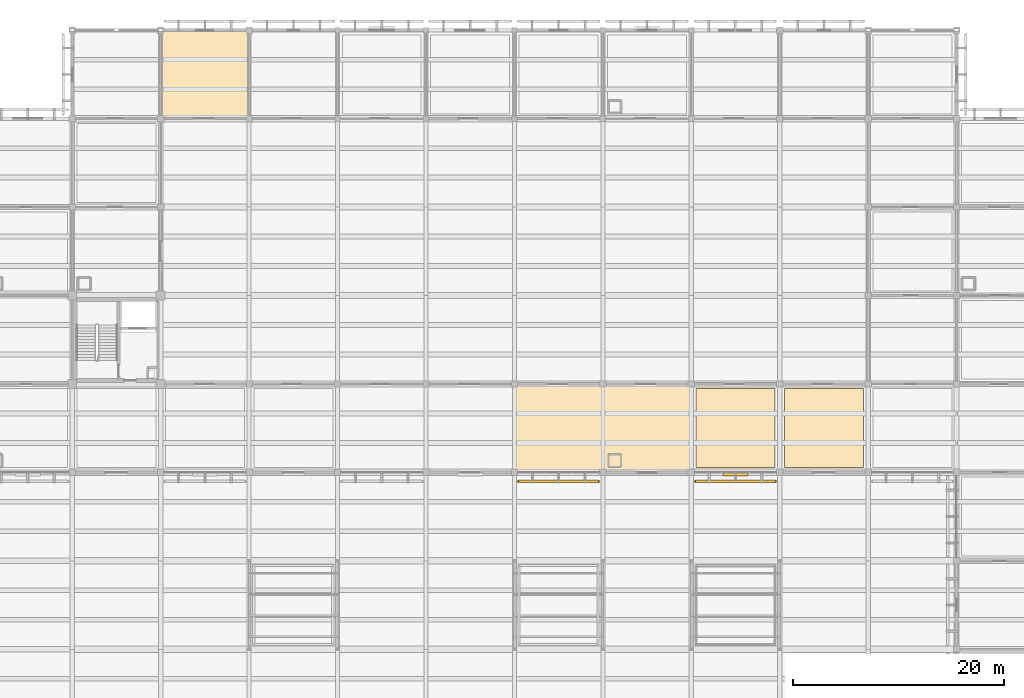
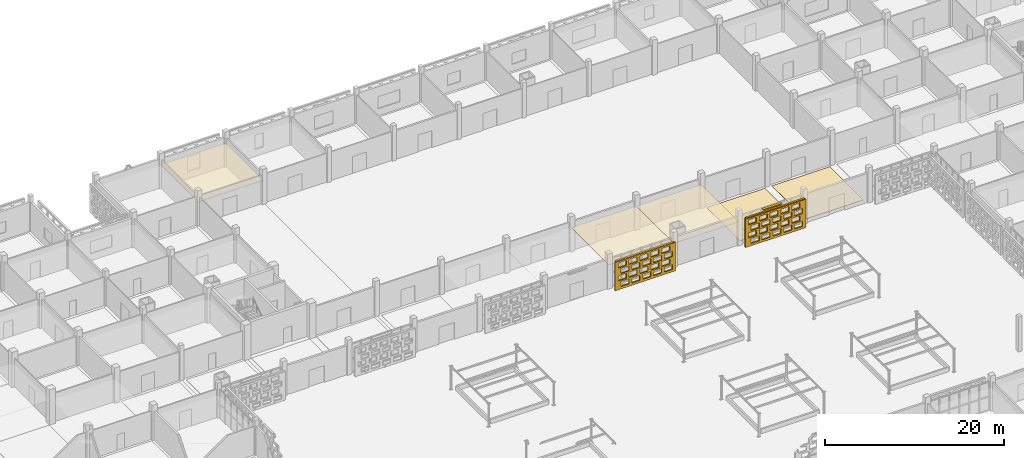
# One storey, part 105 of 129: 7 coverings, 3 shading devices, 40 openings.
"""IFC4 building model written with IfcOpenShell, lengths in metres."""

from ifc_helpers import new_model, si_unit, direction, frame, frame_2d, origin, origin_2d, place, context, subcontext, project, spatial, rectangle, extrude, material, layer, layer_set, type_object, element, save


model = new_model("IFC4")

# Units and contexts
model_context = context("Model", 3, precision=1e-05, world=origin(), true_north=direction((0.0, 1.0)))
body_context = subcontext(model_context, "Body", "Model", "MODEL_VIEW")
ifc_project = project(units=[si_unit("LENGTHUNIT", "METRE"), si_unit("AREAUNIT", "SQUARE_METRE"), si_unit("VOLUMEUNIT", "CUBIC_METRE"), si_unit("PLANEANGLEUNIT", "RADIAN"), si_unit("MASSUNIT", "GRAM", prefix="KILO")], contexts=[model_context])

# Site, building, storey
site_placement = place(None, origin())
site = spatial("IfcSite", under=ifc_project, at=site_placement, CompositionType="ELEMENT")
building_placement = place(site_placement, origin())
building = spatial("IfcBuilding", under=site, at=building_placement, Name="Varnapada Polytechnic", CompositionType="ELEMENT")
storey_placement = place(building_placement, origin())
storey = spatial("IfcBuildingStorey", under=building, at=storey_placement, Name="L00", CompositionType="ELEMENT", Elevation=0.0)

# Coverings
ifc_material_1 = material(Name="End-Grain Timber Studio Block Flooring", Category="wood")
ifc_layer_1 = layer(ifc_material_1, 0.054931640625)
ifc_layer_set_1 = layer_set([ifc_layer_1], Name="End-Grain Timber Studio Block Flooring")
covering_type_1 = type_object("IfcCoveringType", Name="Floor Finish FLR-04", PredefinedType="FLOORING", material=ifc_layer_set_1)
covering_1_placement = place(storey_placement, frame((121.800048828125, 88.199951171875, 0.0), z_axis=(0.0, 0.0, 1.0), x_axis=(1.0, 0.0, 0.0)))
element("IfcCovering", 1, at=covering_1_placement, inside=storey, type_object=covering_type_1, Name="L00 floor finish panel (15,11)", PredefinedType="FLOORING", context=body_context, shape_type="SweptSolid", body=[
    extrude(rectangle(XDim=7.5, YDim=7.5, at=origin_2d()), origin(), (0.0, 0.0, 1.0), 0.054931640625),
])
ifc_material_2 = material(Name="Acoustic Rubber Seminar Flooring")
ifc_layer_2 = layer(ifc_material_2, 0.0400390625)
ifc_layer_set_2 = layer_set([ifc_layer_2], Name="Acoustic Rubber Seminar Flooring")
covering_type_2 = type_object("IfcCoveringType", Name="Floor Finish FLR-06", PredefinedType="FLOORING", material=ifc_layer_set_2)
covering_2_placement = place(storey_placement, frame((113.39990234375, 88.199951171875, 0.0), z_axis=(0.0, 0.0, 1.0), x_axis=(1.0, 0.0, 0.0)))
element("IfcCovering", 2, at=covering_2_placement, inside=storey, type_object=covering_type_2, Name="L00 floor finish panel (14,11)", PredefinedType="FLOORING", context=body_context, shape_type="SweptSolid", body=[
    extrude(rectangle(XDim=7.5, YDim=7.5, at=origin_2d()), origin(), (0.0, 0.0, 1.0), 0.0400390625),
])

# Shading device
ifc_material_3 = material(Name="Anodised aluminium", Category="aluminium")
ifc_layer_3 = layer(ifc_material_3, 0.35009765625)
ifc_layer_set_3 = layer_set([ifc_layer_3], Name="Anodised aluminium")
shading_device_type_1 = type_object("IfcShadingDeviceType", Name="Solar Louvre LVR-01", PredefinedType="JALOUSIE", material=ifc_layer_set_3)
shading_device_placement = place(storey_placement, frame((113.39990234375, 83.820068359375, 3.760009765625), z_axis=(0.0, 0.0, 1.0), x_axis=(-1.0, 0.0, 0.0)))
element("IfcShadingDevice", 3, at=shading_device_placement, inside=storey, type_object=shading_device_type_1, Name="L00 aluminium sun louvre 70", PredefinedType="JALOUSIE", context=body_context, shape_type="SweptSolid", body=[
    extrude(rectangle(XDim=2.39990234375, YDim=0.340087890625, at=origin_2d()), origin(), (0.0, 0.0, 1.0), 0.1201171875),
])

# Coverings
ifc_material_4 = material(Name="Mineral Fibre Acoustic Ceiling Tile")
ifc_layer_4 = layer(ifc_material_4, 0.0400390625)
ifc_layer_set_4 = layer_set([ifc_layer_4], Name="Mineral Fibre Acoustic Ceiling Tile")
covering_type_3 = type_object("IfcCoveringType", Name="Suspended Ceiling CLG-01", PredefinedType="CEILING", material=ifc_layer_set_4)
covering_3_placement = place(storey_placement, frame((105.0, 88.199951171875, 3.030029296875), z_axis=(0.0, 0.0, 1.0), x_axis=(1.0, 0.0, 0.0)))
element("IfcCovering", 4, at=covering_3_placement, inside=storey, type_object=covering_type_3, Name="L00 suspended acoustic ceiling (13,11)", PredefinedType="CEILING", context=body_context, shape_type="SweptSolid", body=[
    extrude(rectangle(XDim=8.419921875, YDim=8.419921875, at=origin_2d()), origin(), (0.0, 0.0, 1.0), 0.0400390625),
])
ifc_material_5 = material(Name="Micro-Perforated Gypsum Acoustic Ceiling")
ifc_layer_5 = layer(ifc_material_5, 0.044921875)
ifc_layer_set_5 = layer_set([ifc_layer_5], Name="Micro-Perforated Gypsum Acoustic Ceiling")
covering_type_4 = type_object("IfcCoveringType", Name="Suspended Ceiling CLG-04", PredefinedType="CEILING", material=ifc_layer_set_5)
for number, where, z_axis, x_axis, name in (
    (5, (63.0, 121.800048828125, 3.027587890625), (0.0, 0.0, 1.0), (1.0, 0.0, 0.0), "L00 suspended acoustic ceiling (8,15)"),
    (6, (96.60009765625, 88.199951171875, 3.027587890625), (0.0, 0.0, 1.0), (1.0, 0.0, 0.0), "L00 suspended acoustic ceiling (12,11)"),
):
    element("IfcCovering", number, at=place(storey_placement, frame(where, z_axis=z_axis, x_axis=x_axis)), inside=storey, type_object=covering_type_4, Name=name, PredefinedType="CEILING", context=body_context, shape_type="SweptSolid", body=[
        extrude(rectangle(XDim=8.419921875, YDim=8.419921875, at=origin_2d()), origin(), (0.0, 0.0, 1.0), 0.044921875),
    ])

# Covering, openings
ifc_material_6 = material(Name="Earth-toned architectural terracotta screen block", Category="masonry")
ifc_layer_6 = layer(ifc_material_6, 0.1201171875)
ifc_layer_set_6 = layer_set([ifc_layer_6], Name="Earth-toned architectural terracotta screen block")
covering_type_5 = type_object("IfcCoveringType", Name="Terracotta Screen Cladding CLD-01", PredefinedType="CLADDING", material=ifc_layer_set_6)
covering_4_placement = place(storey_placement, frame((100.5, 83.14990234375, 0.0), z_axis=(0.0, 0.0, 1.0), x_axis=(-1.0, 0.0, 0.0)))
covering_4 = element("IfcCovering", 7, at=covering_4_placement, inside=storey, type_object=covering_type_5, Name="L00 perforated terracotta block screen (62)", PredefinedType="CLADDING", context=body_context, shape_type="SweptSolid", body=[
    extrude(rectangle(XDim=7.800048828125, YDim=0.179931640625, at=frame_2d((3.89990234375, 0.0))), origin(), (0.0, 0.0, 1.0), 3.919921875),
])
opening_1_placement = place(covering_4_placement, frame((0.39990234375, 0.0, 0.313720703125)))
element("IfcOpeningElement", 8, at=opening_1_placement, cuts=covering_4, Name="Screen perforation TBS-L00-061.1", PredefinedType="OPENING", context=body_context, shape_type="SweptSolid", body=[
    extrude(rectangle(XDim=1.0400390625, YDim=0.679931640625, at=frame_2d((0.52001953125, 0.33984375))), frame((0.0, 0.099853515625, 0.0), z_axis=(0.0, -1.0, 0.0), x_axis=(1.0, 0.0, 0.0)), (0.0, 0.0, 1.0), 0.199951171875),
])
opening_2_placement = place(covering_4_placement, frame((1.800048828125, 0.0, 0.313720703125)))
element("IfcOpeningElement", 9, at=opening_2_placement, cuts=covering_4, Name="Screen perforation TBS-L00-061.2", PredefinedType="OPENING", context=body_context, shape_type="SweptSolid", body=[
    extrude(rectangle(XDim=1.0400390625, YDim=0.679931640625, at=frame_2d((0.52001953125, 0.33984375))), frame((0.0, 0.099853515625, 0.0), z_axis=(0.0, -1.0, 0.0), x_axis=(1.0, 0.0, 0.0)), (0.0, 0.0, 1.0), 0.199951171875),
])
opening_3_placement = place(covering_4_placement, frame((3.199951171875, 0.0, 0.313720703125)))
element("IfcOpeningElement", 10, at=opening_3_placement, cuts=covering_4, Name="Screen perforation TBS-L00-061.3", PredefinedType="OPENING", context=body_context, shape_type="SweptSolid", body=[
    extrude(rectangle(XDim=1.0400390625, YDim=0.679931640625, at=frame_2d((0.52001953125, 0.33984375))), frame((0.0, 0.099853515625, 0.0), z_axis=(0.0, -1.0, 0.0), x_axis=(1.0, 0.0, 0.0)), (0.0, 0.0, 1.0), 0.199951171875),
])
opening_4_placement = place(covering_4_placement, frame((4.60009765625, 0.0, 0.313720703125)))
element("IfcOpeningElement", 11, at=opening_4_placement, cuts=covering_4, Name="Screen perforation TBS-L00-061.4", PredefinedType="OPENING", context=body_context, shape_type="SweptSolid", body=[
    extrude(rectangle(XDim=1.0400390625, YDim=0.679931640625, at=frame_2d((0.52001953125, 0.33984375))), frame((0.0, 0.099853515625, 0.0), z_axis=(0.0, -1.0, 0.0), x_axis=(1.0, 0.0, 0.0)), (0.0, 0.0, 1.0), 0.199951171875),
])
opening_5_placement = place(covering_4_placement, frame((6.0, 0.0, 0.313720703125)))
element("IfcOpeningElement", 12, at=opening_5_placement, cuts=covering_4, Name="Screen perforation TBS-L00-061.5", PredefinedType="OPENING", context=body_context, shape_type="SweptSolid", body=[
    extrude(rectangle(XDim=1.0400390625, YDim=0.679931640625, at=frame_2d((0.52001953125, 0.33984375))), frame((0.0, 0.099853515625, 0.0), z_axis=(0.0, -1.0, 0.0), x_axis=(1.0, 0.0, 0.0)), (0.0, 0.0, 1.0), 0.199951171875),
])
opening_6_placement = place(covering_4_placement, frame((0.760009765625, 0.0, 1.195556640625)))
element("IfcOpeningElement", 13, at=opening_6_placement, cuts=covering_4, Name="Screen perforation TBS-L00-061.6", PredefinedType="OPENING", context=body_context, shape_type="SweptSolid", body=[
    extrude(rectangle(XDim=1.0400390625, YDim=0.679931640625, at=frame_2d((0.52001953125, 0.33984375))), frame((0.0, 0.099853515625, 0.0), z_axis=(0.0, -1.0, 0.0), x_axis=(1.0, 0.0, 0.0)), (0.0, 0.0, 1.0), 0.199951171875),
])
opening_7_placement = place(covering_4_placement, frame((2.159912109375, 0.0, 1.195556640625)))
element("IfcOpeningElement", 14, at=opening_7_placement, cuts=covering_4, Name="Screen perforation TBS-L00-061.7", PredefinedType="OPENING", context=body_context, shape_type="SweptSolid", body=[
    extrude(rectangle(XDim=1.0400390625, YDim=0.679931640625, at=frame_2d((0.52001953125, 0.33984375))), frame((0.0, 0.099853515625, 0.0), z_axis=(0.0, -1.0, 0.0), x_axis=(1.0, 0.0, 0.0)), (0.0, 0.0, 1.0), 0.199951171875),
])
opening_8_placement = place(covering_4_placement, frame((3.56005859375, 0.0, 1.195556640625)))
element("IfcOpeningElement", 15, at=opening_8_placement, cuts=covering_4, Name="Screen perforation TBS-L00-061.8", PredefinedType="OPENING", context=body_context, shape_type="SweptSolid", body=[
    extrude(rectangle(XDim=1.0400390625, YDim=0.679931640625, at=frame_2d((0.52001953125, 0.33984375))), frame((0.0, 0.099853515625, 0.0), z_axis=(0.0, -1.0, 0.0), x_axis=(1.0, 0.0, 0.0)), (0.0, 0.0, 1.0), 0.199951171875),
])
opening_9_placement = place(covering_4_placement, frame((4.9599609375, 0.0, 1.195556640625)))
element("IfcOpeningElement", 16, at=opening_9_placement, cuts=covering_4, Name="Screen perforation TBS-L00-061.9", PredefinedType="OPENING", context=body_context, shape_type="SweptSolid", body=[
    extrude(rectangle(XDim=1.0400390625, YDim=0.679931640625, at=frame_2d((0.52001953125, 0.33984375))), frame((0.0, 0.099853515625, 0.0), z_axis=(0.0, -1.0, 0.0), x_axis=(1.0, 0.0, 0.0)), (0.0, 0.0, 1.0), 0.199951171875),
])
opening_10_placement = place(covering_4_placement, frame((6.360107421875, 0.0, 1.195556640625)))
element("IfcOpeningElement", 17, at=opening_10_placement, cuts=covering_4, Name="Screen perforation TBS-L00-061.10", PredefinedType="OPENING", context=body_context, shape_type="SweptSolid", body=[
    extrude(rectangle(XDim=1.0400390625, YDim=0.679931640625, at=frame_2d((0.52001953125, 0.33984375))), frame((0.0, 0.099853515625, 0.0), z_axis=(0.0, -1.0, 0.0), x_axis=(1.0, 0.0, 0.0)), (0.0, 0.0, 1.0), 0.199951171875),
])
opening_11_placement = place(covering_4_placement, frame((0.39990234375, 0.0, 2.07763671875)))
element("IfcOpeningElement", 18, at=opening_11_placement, cuts=covering_4, Name="Screen perforation TBS-L00-061.11", PredefinedType="OPENING", context=body_context, shape_type="SweptSolid", body=[
    extrude(rectangle(XDim=1.0400390625, YDim=0.679931640625, at=frame_2d((0.52001953125, 0.33984375))), frame((0.0, 0.099853515625, 0.0), z_axis=(0.0, -1.0, 0.0), x_axis=(1.0, 0.0, 0.0)), (0.0, 0.0, 1.0), 0.199951171875),
])
opening_12_placement = place(covering_4_placement, frame((1.800048828125, 0.0, 2.07763671875)))
element("IfcOpeningElement", 19, at=opening_12_placement, cuts=covering_4, Name="Screen perforation TBS-L00-061.12", PredefinedType="OPENING", context=body_context, shape_type="SweptSolid", body=[
    extrude(rectangle(XDim=1.0400390625, YDim=0.679931640625, at=frame_2d((0.52001953125, 0.33984375))), frame((0.0, 0.099853515625, 0.0), z_axis=(0.0, -1.0, 0.0), x_axis=(1.0, 0.0, 0.0)), (0.0, 0.0, 1.0), 0.199951171875),
])
opening_13_placement = place(covering_4_placement, frame((3.199951171875, 0.0, 2.07763671875)))
element("IfcOpeningElement", 20, at=opening_13_placement, cuts=covering_4, Name="Screen perforation TBS-L00-061.13", PredefinedType="OPENING", context=body_context, shape_type="SweptSolid", body=[
    extrude(rectangle(XDim=1.0400390625, YDim=0.679931640625, at=frame_2d((0.52001953125, 0.33984375))), frame((0.0, 0.099853515625, 0.0), z_axis=(0.0, -1.0, 0.0), x_axis=(1.0, 0.0, 0.0)), (0.0, 0.0, 1.0), 0.199951171875),
])
opening_14_placement = place(covering_4_placement, frame((4.60009765625, 0.0, 2.07763671875)))
element("IfcOpeningElement", 21, at=opening_14_placement, cuts=covering_4, Name="Screen perforation TBS-L00-061.14", PredefinedType="OPENING", context=body_context, shape_type="SweptSolid", body=[
    extrude(rectangle(XDim=1.0400390625, YDim=0.679931640625, at=frame_2d((0.52001953125, 0.33984375))), frame((0.0, 0.099853515625, 0.0), z_axis=(0.0, -1.0, 0.0), x_axis=(1.0, 0.0, 0.0)), (0.0, 0.0, 1.0), 0.199951171875),
])
opening_15_placement = place(covering_4_placement, frame((6.0, 0.0, 2.07763671875)))
element("IfcOpeningElement", 22, at=opening_15_placement, cuts=covering_4, Name="Screen perforation TBS-L00-061.15", PredefinedType="OPENING", context=body_context, shape_type="SweptSolid", body=[
    extrude(rectangle(XDim=1.0400390625, YDim=0.679931640625, at=frame_2d((0.52001953125, 0.33984375))), frame((0.0, 0.099853515625, 0.0), z_axis=(0.0, -1.0, 0.0), x_axis=(1.0, 0.0, 0.0)), (0.0, 0.0, 1.0), 0.199951171875),
])
opening_16_placement = place(covering_4_placement, frame((0.760009765625, 0.0, 2.959716796875)))
element("IfcOpeningElement", 23, at=opening_16_placement, cuts=covering_4, Name="Screen perforation TBS-L00-061.16", PredefinedType="OPENING", context=body_context, shape_type="SweptSolid", body=[
    extrude(rectangle(XDim=1.0400390625, YDim=0.679931640625, at=frame_2d((0.52001953125, 0.33984375))), frame((0.0, 0.099853515625, 0.0), z_axis=(0.0, -1.0, 0.0), x_axis=(1.0, 0.0, 0.0)), (0.0, 0.0, 1.0), 0.199951171875),
])
opening_17_placement = place(covering_4_placement, frame((2.159912109375, 0.0, 2.959716796875)))
element("IfcOpeningElement", 24, at=opening_17_placement, cuts=covering_4, Name="Screen perforation TBS-L00-061.17", PredefinedType="OPENING", context=body_context, shape_type="SweptSolid", body=[
    extrude(rectangle(XDim=1.0400390625, YDim=0.679931640625, at=frame_2d((0.52001953125, 0.33984375))), frame((0.0, 0.099853515625, 0.0), z_axis=(0.0, -1.0, 0.0), x_axis=(1.0, 0.0, 0.0)), (0.0, 0.0, 1.0), 0.199951171875),
])
opening_18_placement = place(covering_4_placement, frame((3.56005859375, 0.0, 2.959716796875)))
element("IfcOpeningElement", 25, at=opening_18_placement, cuts=covering_4, Name="Screen perforation TBS-L00-061.18", PredefinedType="OPENING", context=body_context, shape_type="SweptSolid", body=[
    extrude(rectangle(XDim=1.0400390625, YDim=0.679931640625, at=frame_2d((0.52001953125, 0.33984375))), frame((0.0, 0.099853515625, 0.0), z_axis=(0.0, -1.0, 0.0), x_axis=(1.0, 0.0, 0.0)), (0.0, 0.0, 1.0), 0.199951171875),
])
opening_19_placement = place(covering_4_placement, frame((4.9599609375, 0.0, 2.959716796875)))
element("IfcOpeningElement", 26, at=opening_19_placement, cuts=covering_4, Name="Screen perforation TBS-L00-061.19", PredefinedType="OPENING", context=body_context, shape_type="SweptSolid", body=[
    extrude(rectangle(XDim=1.0400390625, YDim=0.679931640625, at=frame_2d((0.52001953125, 0.33984375))), frame((0.0, 0.099853515625, 0.0), z_axis=(0.0, -1.0, 0.0), x_axis=(1.0, 0.0, 0.0)), (0.0, 0.0, 1.0), 0.199951171875),
])
opening_20_placement = place(covering_4_placement, frame((6.360107421875, 0.0, 2.959716796875)))
element("IfcOpeningElement", 27, at=opening_20_placement, cuts=covering_4, Name="Screen perforation TBS-L00-061.20", PredefinedType="OPENING", context=body_context, shape_type="SweptSolid", body=[
    extrude(rectangle(XDim=1.0400390625, YDim=0.679931640625, at=frame_2d((0.52001953125, 0.33984375))), frame((0.0, 0.099853515625, 0.0), z_axis=(0.0, -1.0, 0.0), x_axis=(1.0, 0.0, 0.0)), (0.0, 0.0, 1.0), 0.199951171875),
])

covering_5_placement = place(storey_placement, frame((117.300048828125, 83.14990234375, 0.0), z_axis=(0.0, 0.0, 1.0), x_axis=(-1.0, 0.0, 0.0)))
covering_5 = element("IfcCovering", 28, at=covering_5_placement, inside=storey, type_object=covering_type_5, Name="L00 perforated terracotta block screen (70)", PredefinedType="CLADDING", context=body_context, shape_type="SweptSolid", body=[
    extrude(rectangle(XDim=7.800048828125, YDim=0.179931640625, at=frame_2d((3.89990234375, 0.0))), origin(), (0.0, 0.0, 1.0), 3.919921875),
])
opening_21_placement = place(covering_5_placement, frame((0.39990234375, 0.0, 0.313720703125)))
element("IfcOpeningElement", 29, at=opening_21_placement, cuts=covering_5, Name="Screen perforation TBS-L00-069.1", PredefinedType="OPENING", context=body_context, shape_type="SweptSolid", body=[
    extrude(rectangle(XDim=1.0400390625, YDim=0.679931640625, at=frame_2d((0.52001953125, 0.33984375))), frame((0.0, 0.099853515625, 0.0), z_axis=(0.0, -1.0, 0.0), x_axis=(1.0, 0.0, 0.0)), (0.0, 0.0, 1.0), 0.199951171875),
])
opening_22_placement = place(covering_5_placement, frame((1.800048828125, 0.0, 0.313720703125)))
element("IfcOpeningElement", 30, at=opening_22_placement, cuts=covering_5, Name="Screen perforation TBS-L00-069.2", PredefinedType="OPENING", context=body_context, shape_type="SweptSolid", body=[
    extrude(rectangle(XDim=1.0400390625, YDim=0.679931640625, at=frame_2d((0.52001953125, 0.33984375))), frame((0.0, 0.099853515625, 0.0), z_axis=(0.0, -1.0, 0.0), x_axis=(1.0, 0.0, 0.0)), (0.0, 0.0, 1.0), 0.199951171875),
])
opening_23_placement = place(covering_5_placement, frame((3.199951171875, 0.0, 0.313720703125)))
element("IfcOpeningElement", 31, at=opening_23_placement, cuts=covering_5, Name="Screen perforation TBS-L00-069.3", PredefinedType="OPENING", context=body_context, shape_type="SweptSolid", body=[
    extrude(rectangle(XDim=1.0400390625, YDim=0.679931640625, at=frame_2d((0.52001953125, 0.33984375))), frame((0.0, 0.099853515625, 0.0), z_axis=(0.0, -1.0, 0.0), x_axis=(1.0, 0.0, 0.0)), (0.0, 0.0, 1.0), 0.199951171875),
])
opening_24_placement = place(covering_5_placement, frame((4.60009765625, 0.0, 0.313720703125)))
element("IfcOpeningElement", 32, at=opening_24_placement, cuts=covering_5, Name="Screen perforation TBS-L00-069.4", PredefinedType="OPENING", context=body_context, shape_type="SweptSolid", body=[
    extrude(rectangle(XDim=1.0400390625, YDim=0.679931640625, at=frame_2d((0.52001953125, 0.33984375))), frame((0.0, 0.099853515625, 0.0), z_axis=(0.0, -1.0, 0.0), x_axis=(1.0, 0.0, 0.0)), (0.0, 0.0, 1.0), 0.199951171875),
])
opening_25_placement = place(covering_5_placement, frame((6.0, 0.0, 0.313720703125)))
element("IfcOpeningElement", 33, at=opening_25_placement, cuts=covering_5, Name="Screen perforation TBS-L00-069.5", PredefinedType="OPENING", context=body_context, shape_type="SweptSolid", body=[
    extrude(rectangle(XDim=1.0400390625, YDim=0.679931640625, at=frame_2d((0.52001953125, 0.33984375))), frame((0.0, 0.099853515625, 0.0), z_axis=(0.0, -1.0, 0.0), x_axis=(1.0, 0.0, 0.0)), (0.0, 0.0, 1.0), 0.199951171875),
])
opening_26_placement = place(covering_5_placement, frame((0.760009765625, 0.0, 1.195556640625)))
element("IfcOpeningElement", 34, at=opening_26_placement, cuts=covering_5, Name="Screen perforation TBS-L00-069.6", PredefinedType="OPENING", context=body_context, shape_type="SweptSolid", body=[
    extrude(rectangle(XDim=1.0400390625, YDim=0.679931640625, at=frame_2d((0.52001953125, 0.33984375))), frame((0.0, 0.099853515625, 0.0), z_axis=(0.0, -1.0, 0.0), x_axis=(1.0, 0.0, 0.0)), (0.0, 0.0, 1.0), 0.199951171875),
])
opening_27_placement = place(covering_5_placement, frame((2.159912109375, 0.0, 1.195556640625)))
element("IfcOpeningElement", 35, at=opening_27_placement, cuts=covering_5, Name="Screen perforation TBS-L00-069.7", PredefinedType="OPENING", context=body_context, shape_type="SweptSolid", body=[
    extrude(rectangle(XDim=1.0400390625, YDim=0.679931640625, at=frame_2d((0.52001953125, 0.33984375))), frame((0.0, 0.099853515625, 0.0), z_axis=(0.0, -1.0, 0.0), x_axis=(1.0, 0.0, 0.0)), (0.0, 0.0, 1.0), 0.199951171875),
])
opening_28_placement = place(covering_5_placement, frame((3.56005859375, 0.0, 1.195556640625)))
element("IfcOpeningElement", 36, at=opening_28_placement, cuts=covering_5, Name="Screen perforation TBS-L00-069.8", PredefinedType="OPENING", context=body_context, shape_type="SweptSolid", body=[
    extrude(rectangle(XDim=1.0400390625, YDim=0.679931640625, at=frame_2d((0.52001953125, 0.33984375))), frame((0.0, 0.099853515625, 0.0), z_axis=(0.0, -1.0, 0.0), x_axis=(1.0, 0.0, 0.0)), (0.0, 0.0, 1.0), 0.199951171875),
])
opening_29_placement = place(covering_5_placement, frame((4.9599609375, 0.0, 1.195556640625)))
element("IfcOpeningElement", 37, at=opening_29_placement, cuts=covering_5, Name="Screen perforation TBS-L00-069.9", PredefinedType="OPENING", context=body_context, shape_type="SweptSolid", body=[
    extrude(rectangle(XDim=1.0400390625, YDim=0.679931640625, at=frame_2d((0.52001953125, 0.33984375))), frame((0.0, 0.099853515625, 0.0), z_axis=(0.0, -1.0, 0.0), x_axis=(1.0, 0.0, 0.0)), (0.0, 0.0, 1.0), 0.199951171875),
])
opening_30_placement = place(covering_5_placement, frame((6.360107421875, 0.0, 1.195556640625)))
element("IfcOpeningElement", 38, at=opening_30_placement, cuts=covering_5, Name="Screen perforation TBS-L00-069.10", PredefinedType="OPENING", context=body_context, shape_type="SweptSolid", body=[
    extrude(rectangle(XDim=1.0400390625, YDim=0.679931640625, at=frame_2d((0.52001953125, 0.33984375))), frame((0.0, 0.099853515625, 0.0), z_axis=(0.0, -1.0, 0.0), x_axis=(1.0, 0.0, 0.0)), (0.0, 0.0, 1.0), 0.199951171875),
])
opening_31_placement = place(covering_5_placement, frame((0.39990234375, 0.0, 2.07763671875)))
element("IfcOpeningElement", 39, at=opening_31_placement, cuts=covering_5, Name="Screen perforation TBS-L00-069.11", PredefinedType="OPENING", context=body_context, shape_type="SweptSolid", body=[
    extrude(rectangle(XDim=1.0400390625, YDim=0.679931640625, at=frame_2d((0.52001953125, 0.33984375))), frame((0.0, 0.099853515625, 0.0), z_axis=(0.0, -1.0, 0.0), x_axis=(1.0, 0.0, 0.0)), (0.0, 0.0, 1.0), 0.199951171875),
])
opening_32_placement = place(covering_5_placement, frame((1.800048828125, 0.0, 2.07763671875)))
element("IfcOpeningElement", 40, at=opening_32_placement, cuts=covering_5, Name="Screen perforation TBS-L00-069.12", PredefinedType="OPENING", context=body_context, shape_type="SweptSolid", body=[
    extrude(rectangle(XDim=1.0400390625, YDim=0.679931640625, at=frame_2d((0.52001953125, 0.33984375))), frame((0.0, 0.099853515625, 0.0), z_axis=(0.0, -1.0, 0.0), x_axis=(1.0, 0.0, 0.0)), (0.0, 0.0, 1.0), 0.199951171875),
])
opening_33_placement = place(covering_5_placement, frame((3.199951171875, 0.0, 2.07763671875)))
element("IfcOpeningElement", 41, at=opening_33_placement, cuts=covering_5, Name="Screen perforation TBS-L00-069.13", PredefinedType="OPENING", context=body_context, shape_type="SweptSolid", body=[
    extrude(rectangle(XDim=1.0400390625, YDim=0.679931640625, at=frame_2d((0.52001953125, 0.33984375))), frame((0.0, 0.099853515625, 0.0), z_axis=(0.0, -1.0, 0.0), x_axis=(1.0, 0.0, 0.0)), (0.0, 0.0, 1.0), 0.199951171875),
])
opening_34_placement = place(covering_5_placement, frame((4.60009765625, 0.0, 2.07763671875)))
element("IfcOpeningElement", 42, at=opening_34_placement, cuts=covering_5, Name="Screen perforation TBS-L00-069.14", PredefinedType="OPENING", context=body_context, shape_type="SweptSolid", body=[
    extrude(rectangle(XDim=1.0400390625, YDim=0.679931640625, at=frame_2d((0.52001953125, 0.33984375))), frame((0.0, 0.099853515625, 0.0), z_axis=(0.0, -1.0, 0.0), x_axis=(1.0, 0.0, 0.0)), (0.0, 0.0, 1.0), 0.199951171875),
])
opening_35_placement = place(covering_5_placement, frame((6.0, 0.0, 2.07763671875)))
element("IfcOpeningElement", 43, at=opening_35_placement, cuts=covering_5, Name="Screen perforation TBS-L00-069.15", PredefinedType="OPENING", context=body_context, shape_type="SweptSolid", body=[
    extrude(rectangle(XDim=1.0400390625, YDim=0.679931640625, at=frame_2d((0.52001953125, 0.33984375))), frame((0.0, 0.099853515625, 0.0), z_axis=(0.0, -1.0, 0.0), x_axis=(1.0, 0.0, 0.0)), (0.0, 0.0, 1.0), 0.199951171875),
])
opening_36_placement = place(covering_5_placement, frame((0.760009765625, 0.0, 2.959716796875)))
element("IfcOpeningElement", 44, at=opening_36_placement, cuts=covering_5, Name="Screen perforation TBS-L00-069.16", PredefinedType="OPENING", context=body_context, shape_type="SweptSolid", body=[
    extrude(rectangle(XDim=1.0400390625, YDim=0.679931640625, at=frame_2d((0.52001953125, 0.33984375))), frame((0.0, 0.099853515625, 0.0), z_axis=(0.0, -1.0, 0.0), x_axis=(1.0, 0.0, 0.0)), (0.0, 0.0, 1.0), 0.199951171875),
])
opening_37_placement = place(covering_5_placement, frame((2.159912109375, 0.0, 2.959716796875)))
element("IfcOpeningElement", 45, at=opening_37_placement, cuts=covering_5, Name="Screen perforation TBS-L00-069.17", PredefinedType="OPENING", context=body_context, shape_type="SweptSolid", body=[
    extrude(rectangle(XDim=1.0400390625, YDim=0.679931640625, at=frame_2d((0.52001953125, 0.33984375))), frame((0.0, 0.099853515625, 0.0), z_axis=(0.0, -1.0, 0.0), x_axis=(1.0, 0.0, 0.0)), (0.0, 0.0, 1.0), 0.199951171875),
])
opening_38_placement = place(covering_5_placement, frame((3.56005859375, 0.0, 2.959716796875)))
element("IfcOpeningElement", 46, at=opening_38_placement, cuts=covering_5, Name="Screen perforation TBS-L00-069.18", PredefinedType="OPENING", context=body_context, shape_type="SweptSolid", body=[
    extrude(rectangle(XDim=1.0400390625, YDim=0.679931640625, at=frame_2d((0.52001953125, 0.33984375))), frame((0.0, 0.099853515625, 0.0), z_axis=(0.0, -1.0, 0.0), x_axis=(1.0, 0.0, 0.0)), (0.0, 0.0, 1.0), 0.199951171875),
])
opening_39_placement = place(covering_5_placement, frame((4.9599609375, 0.0, 2.959716796875)))
element("IfcOpeningElement", 47, at=opening_39_placement, cuts=covering_5, Name="Screen perforation TBS-L00-069.19", PredefinedType="OPENING", context=body_context, shape_type="SweptSolid", body=[
    extrude(rectangle(XDim=1.0400390625, YDim=0.679931640625, at=frame_2d((0.52001953125, 0.33984375))), frame((0.0, 0.099853515625, 0.0), z_axis=(0.0, -1.0, 0.0), x_axis=(1.0, 0.0, 0.0)), (0.0, 0.0, 1.0), 0.199951171875),
])
opening_40_placement = place(covering_5_placement, frame((6.360107421875, 0.0, 2.959716796875)))
element("IfcOpeningElement", 48, at=opening_40_placement, cuts=covering_5, Name="Screen perforation TBS-L00-069.20", PredefinedType="OPENING", context=body_context, shape_type="SweptSolid", body=[
    extrude(rectangle(XDim=1.0400390625, YDim=0.679931640625, at=frame_2d((0.52001953125, 0.33984375))), frame((0.0, 0.099853515625, 0.0), z_axis=(0.0, -1.0, 0.0), x_axis=(1.0, 0.0, 0.0)), (0.0, 0.0, 1.0), 0.199951171875),
])

# Shading devices
ifc_layer_7 = layer(ifc_material_6, 0.179931640625)
ifc_layer_set_7 = layer_set([ifc_layer_7], Name="Earth-toned architectural terracotta screen block")
shading_device_type_2 = type_object("IfcShadingDeviceType", Name="Terracotta Screen SCR-02", PredefinedType="USERDEFINED", material=ifc_layer_set_7)
for number, where, z_axis, x_axis, name in (
    (49, (96.60009765625, 83.14990234375, 3.909912109375), (0.0, 0.0, 1.0), (-1.0, 0.0, 0.0), "L00 perforated terracotta screen hood 44"),
    (50, (113.39990234375, 83.14990234375, 3.909912109375), (0.0, 0.0, 1.0), (-1.0, 0.0, 0.0), "L00 perforated terracotta screen hood 49"),
):
    element("IfcShadingDevice", number, at=place(storey_placement, frame(where, z_axis=z_axis, x_axis=x_axis)), inside=storey, type_object=shading_device_type_2, Name=name, ObjectType="SCREEN", PredefinedType="USERDEFINED", context=body_context, shape_type="SweptSolid", body=[
        extrude(rectangle(XDim=7.60009765625, YDim=0.239990234375, at=origin_2d()), origin(), (0.0, 0.0, 1.0), 0.10009765625),
    ])

save(model, "model.ifc")
